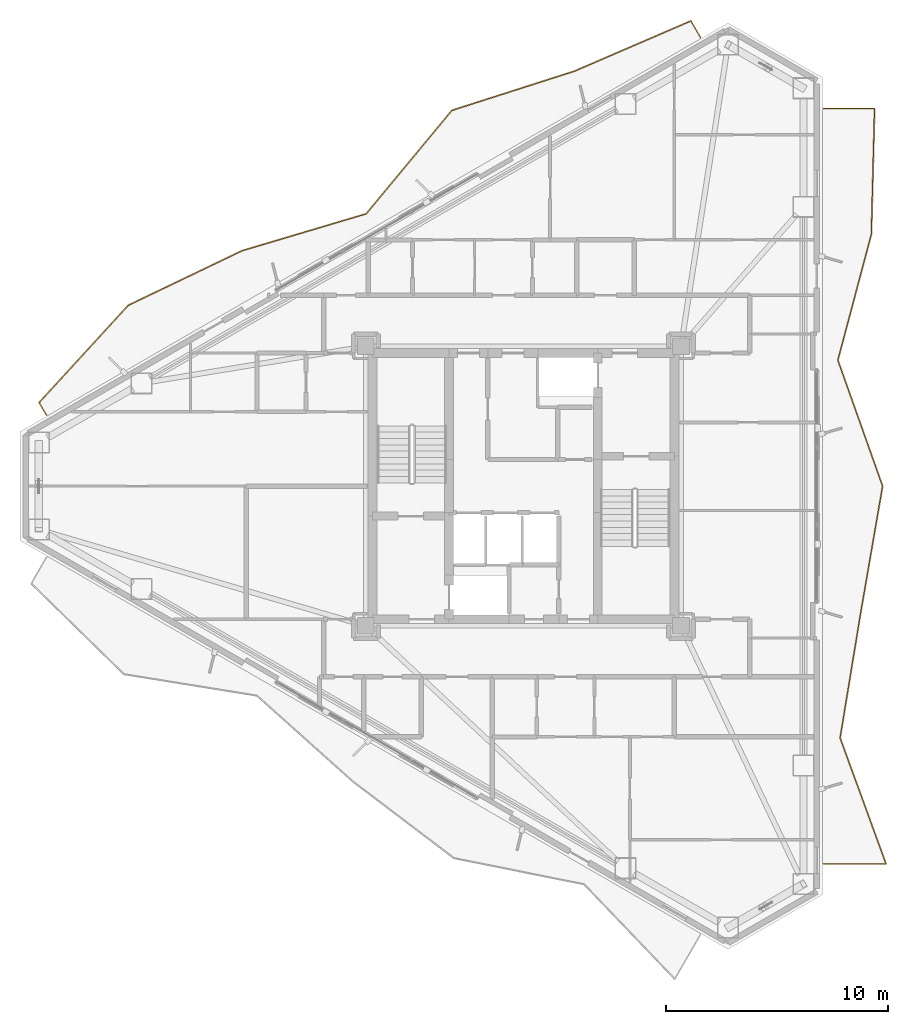
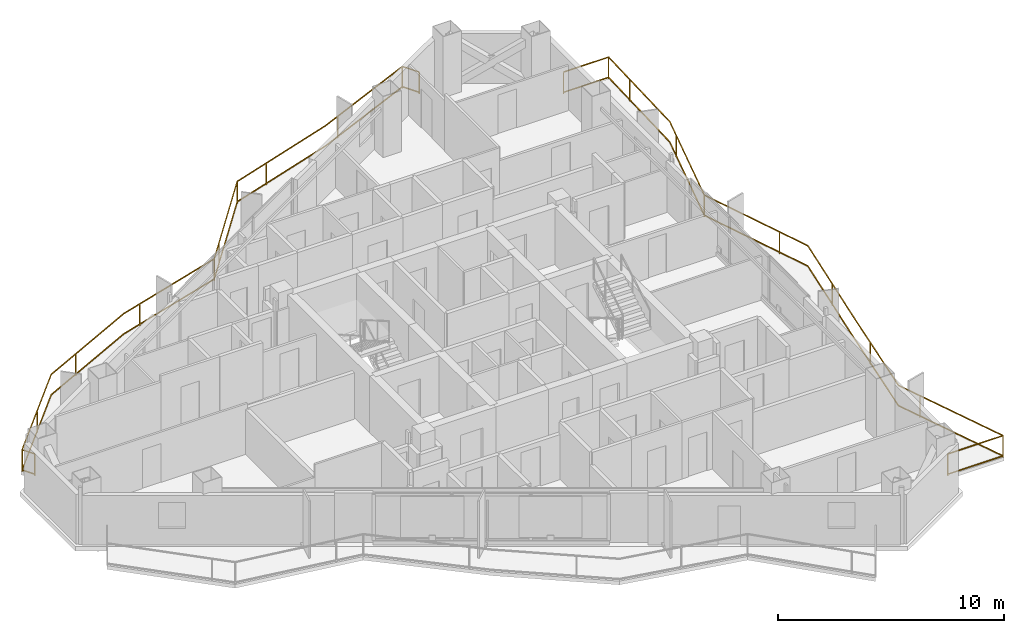
# One storey, part 18 of 18: 2 railings.
"""IFC4 building model written with IfcOpenShell, lengths in metres."""

from ifc_helpers import new_model, si_unit, direction, frame, origin, origin_2d, place, context, subcontext, project, spatial, rectangle, extrude, material, type_object, element, save


model = new_model("IFC4")

# Units and contexts
model_context = context("Model", 3, precision=1e-05, world=origin(), true_north=direction((0.0, 1.0)))
body_context = subcontext(model_context, "Body", "Model", "MODEL_VIEW")
ifc_project = project(units=[si_unit("LENGTHUNIT", "METRE"), si_unit("AREAUNIT", "SQUARE_METRE"), si_unit("VOLUMEUNIT", "CUBIC_METRE"), si_unit("PLANEANGLEUNIT", "RADIAN"), si_unit("MASSUNIT", "GRAM", prefix="KILO")], contexts=[model_context])

# Site, building, storey
site_placement = place(None, origin())
site = spatial("IfcSite", under=ifc_project, at=site_placement, CompositionType="ELEMENT")
building_placement = place(site_placement, origin())
building = spatial("IfcBuilding", under=site, at=building_placement, Name="Mersakhor Tower and Convention Hall", CompositionType="ELEMENT")
storey_placement = place(building_placement, frame((0.0, 0.0, 137.699951171875)))
storey = spatial("IfcBuildingStorey", under=building, at=storey_placement, Name="L38", CompositionType="ELEMENT", Elevation=137.699951171875)

# Railings
ifc_material = material(Name="Powder-coated galvanised steel and laminated glass balustrade", Category="steel")
railing_type = type_object("IfcRailingType", Name="RL-BAL-1200", PredefinedType="BALUSTRADE", material=ifc_material)
railing_1_placement = place(storey_placement, frame((36.983154296875, 46.969482421875, 0.0)))
element("IfcRailing", 1, at=railing_1_placement, inside=storey, type_object=railing_type, Name="L38 Sinusoidal Balcony Balustrade F1", PredefinedType="BALUSTRADE", context=body_context, shape_type="SweptSolid", body=[
    extrude(rectangle(XDim=0.048095703125, YDim=0.048095703125, at=origin_2d()), frame((0.0, 0.0, 1.17578125), z_axis=(-0.49998445949, 0.866034375916, 0.0), x_axis=(-0.866034375916, -0.49998445949, 0.0)), (0.0, 0.0, 1.0), 0.8603515625),
    extrude(rectangle(XDim=0.048095703125, YDim=0.048095703125, at=origin_2d()), frame((0.0, 0.0, 0.080078125), z_axis=(-0.49998445949, 0.866034375916, 0.0), x_axis=(-0.866034375916, -0.49998445949, 0.0)), (0.0, 0.0, 1.0), 0.8603515625),
    extrude(rectangle(XDim=0.048095703125, YDim=0.048095703125, at=origin_2d()), frame((-0.43017578125, 0.7451171875, 1.17578125), z_axis=(-0.91823193367, -0.396043073401, 0.0), x_axis=(0.396043073401, -0.91823193367, 0.0)), (0.0, 0.0, 1.0), 5.713134765625),
    extrude(rectangle(XDim=0.048095703125, YDim=0.048095703125, at=origin_2d()), frame((-0.43017578125, 0.7451171875, 0.080078125), z_axis=(-0.91823193367, -0.396043073401, 0.0), x_axis=(0.396043073401, -0.91823193367, 0.0)), (0.0, 0.0, 1.0), 5.713134765625),
    extrude(rectangle(XDim=0.048095703125, YDim=0.048095703125, at=origin_2d()), frame((-5.67626953125, -1.517578125, 1.17578125), z_axis=(-0.952363102074, -0.304966427344, 0.0), x_axis=(0.304966427344, -0.952363102074, 0.0)), (0.0, 0.0, 1.0), 5.806396484375),
    extrude(rectangle(XDim=0.048095703125, YDim=0.048095703125, at=origin_2d()), frame((-5.67626953125, -1.517578125, 0.080078125), z_axis=(-0.952363102074, -0.304966427344, 0.0), x_axis=(0.304966427344, -0.952363102074, 0.0)), (0.0, 0.0, 1.0), 5.806396484375),
    extrude(rectangle(XDim=0.048095703125, YDim=0.048095703125, at=origin_2d()), frame((-11.2060546875, -3.288330078125, 1.17578125), z_axis=(-0.638071166004, -0.769977393898, 0.0), x_axis=(0.769977393898, -0.638071166004, 0.0)), (0.0, 0.0, 1.0), 6.05224609375),
    extrude(rectangle(XDim=0.048095703125, YDim=0.048095703125, at=origin_2d()), frame((-11.2060546875, -3.288330078125, 0.080078125), z_axis=(-0.638071166004, -0.769977393898, 0.0), x_axis=(0.769977393898, -0.638071166004, 0.0)), (0.0, 0.0, 1.0), 6.05224609375),
    extrude(rectangle(XDim=0.048095703125, YDim=0.048095703125, at=origin_2d()), frame((-15.06787109375, -7.948486328125, 1.17578125), z_axis=(-0.958508856277, -0.285062751755, 0.0), x_axis=(0.285062751755, -0.958508856277, 0.0)), (0.0, 0.0, 1.0), 5.833984375),
    extrude(rectangle(XDim=0.048095703125, YDim=0.048095703125, at=origin_2d()), frame((-15.06787109375, -7.948486328125, 0.080078125), z_axis=(-0.958508856277, -0.285062751755, 0.0), x_axis=(0.285062751755, -0.958508856277, 0.0)), (0.0, 0.0, 1.0), 5.833984375),
    extrude(rectangle(XDim=0.048095703125, YDim=0.048095703125, at=origin_2d()), frame((-20.659912109375, -9.611572265625, 1.17578125), z_axis=(-0.901609395478, -0.432551150716, 0.0), x_axis=(0.432551150716, -0.901609395478, 0.0)), (0.0, 0.0, 1.0), 5.691162109375),
    extrude(rectangle(XDim=0.048095703125, YDim=0.048095703125, at=origin_2d()), frame((-20.659912109375, -9.611572265625, 0.080078125), z_axis=(-0.901609395478, -0.432551150716, 0.0), x_axis=(0.432551150716, -0.901609395478, 0.0)), (0.0, 0.0, 1.0), 5.691162109375),
    extrude(rectangle(XDim=0.048095703125, YDim=0.048095703125, at=origin_2d()), frame((-25.791015625, -12.0732421875, 1.17578125), z_axis=(-0.675555526763, -0.737309114456, 0.0), x_axis=(0.737309114456, -0.675555526763, 0.0)), (0.0, 0.0, 1.0), 5.949951171875),
    extrude(rectangle(XDim=0.048095703125, YDim=0.048095703125, at=origin_2d()), frame((-25.791015625, -12.0732421875, 0.080078125), z_axis=(-0.675555526763, -0.737309114456, 0.0), x_axis=(0.737309114456, -0.675555526763, 0.0)), (0.0, 0.0, 1.0), 5.949951171875),
    extrude(rectangle(XDim=0.048095703125, YDim=0.048095703125, at=origin_2d()), frame((-29.810546875, -16.460205078125, 1.17578125), z_axis=(0.50017749597, -0.865922902183, 0.0), x_axis=(0.865922902183, 0.50017749597, 0.0)), (0.0, 0.0, 1.0), 0.650146484375),
    extrude(rectangle(XDim=0.048095703125, YDim=0.048095703125, at=origin_2d()), frame((-29.810546875, -16.460205078125, 0.080078125), z_axis=(0.50017749597, -0.865922902183, 0.0), x_axis=(0.865922902183, 0.50017749597, 0.0)), (0.0, 0.0, 1.0), 0.650146484375),
    extrude(rectangle(XDim=0.0419921875, YDim=0.0419921875, at=origin_2d()), origin(), (0.0, 0.0, 1.0), 1.15185546875),
    extrude(rectangle(XDim=0.0419921875, YDim=0.0419921875, at=origin_2d()), frame((-0.43017578125, 0.7451171875, 0.0)), (0.0, 0.0, 1.0), 1.15185546875),
    extrude(rectangle(XDim=0.0419921875, YDim=0.0419921875, at=origin_2d()), frame((-4.837646484375, -1.156005859375, 0.0)), (0.0, 0.0, 1.0), 1.15185546875),
    extrude(rectangle(XDim=0.0419921875, YDim=0.0419921875, at=origin_2d()), frame((-9.3779296875, -2.702880859375, 0.0)), (0.0, 0.0, 1.0), 1.15185546875),
    extrude(rectangle(XDim=0.0419921875, YDim=0.0419921875, at=origin_2d()), frame((-11.2060546875, -3.288330078125, 0.0)), (0.0, 0.0, 1.0), 1.15185546875),
    extrude(rectangle(XDim=0.0419921875, YDim=0.0419921875, at=origin_2d()), frame((-14.268798828125, -6.984130859375, 0.0)), (0.0, 0.0, 1.0), 1.15185546875),
    extrude(rectangle(XDim=0.0419921875, YDim=0.0419921875, at=origin_2d()), frame((-15.06787109375, -7.948486328125, 0.0)), (0.0, 0.0, 1.0), 1.15185546875),
    extrude(rectangle(XDim=0.0419921875, YDim=0.0419921875, at=origin_2d()), frame((-19.668701171875, -9.31689453125, 0.0)), (0.0, 0.0, 1.0), 1.15185546875),
    extrude(rectangle(XDim=0.0419921875, YDim=0.0419921875, at=origin_2d()), frame((-24.05517578125, -11.240478515625, 0.0)), (0.0, 0.0, 1.0), 1.15185546875),
    extrude(rectangle(XDim=0.0419921875, YDim=0.0419921875, at=origin_2d()), frame((-27.733154296875, -14.19287109375, 0.0)), (0.0, 0.0, 1.0), 1.15185546875),
    extrude(rectangle(XDim=0.0419921875, YDim=0.0419921875, at=origin_2d()), frame((-29.810546875, -16.460205078125, 0.0)), (0.0, 0.0, 1.0), 1.15185546875),
    extrude(rectangle(XDim=0.0419921875, YDim=0.0419921875, at=origin_2d()), frame((-29.4853515625, -17.023193359375, 0.0)), (0.0, 0.0, 1.0), 1.15185546875),
])
railing_2_placement = place(storey_placement, frame((42.519287109375, 9.726806640625, 0.0)))
element("IfcRailing", 2, at=railing_2_placement, inside=storey, type_object=railing_type, Name="L38 Sinusoidal Balcony Balustrade F2", PredefinedType="BALUSTRADE", context=body_context, shape_type="SweptSolid", body=[
    extrude(rectangle(XDim=0.048095703125, YDim=0.048095703125, at=origin_2d()), frame((0.0, 0.0, 1.17578125), z_axis=(1.0, 0.0, 0.0), x_axis=(0.0, 1.0, 0.0)), (0.0, 0.0, 1.0), 2.81982421875),
    extrude(rectangle(XDim=0.048095703125, YDim=0.048095703125, at=origin_2d()), frame((0.0, 0.0, 0.080078125), z_axis=(1.0, 0.0, 0.0), x_axis=(0.0, 1.0, 0.0)), (0.0, 0.0, 1.0), 2.81982421875),
    extrude(rectangle(XDim=0.048095703125, YDim=0.048095703125, at=origin_2d()), frame((2.81982421875, 0.0, 1.17578125), z_axis=(-0.342505680051, 0.939515757789, 0.0), x_axis=(-0.939515757789, -0.342505680051, 0.0)), (0.0, 0.0, 1.0), 6.03955078125),
    extrude(rectangle(XDim=0.048095703125, YDim=0.048095703125, at=origin_2d()), frame((2.81982421875, 0.0, 0.080078125), z_axis=(-0.342505680051, 0.939515757789, 0.0), x_axis=(-0.939515757789, -0.342505680051, 0.0)), (0.0, 0.0, 1.0), 6.03955078125),
    extrude(rectangle(XDim=0.048095703125, YDim=0.048095703125, at=origin_2d()), frame((0.751220703125, 5.67431640625, 1.17578125), z_axis=(0.162381566776, 0.986728040937, 0.0), x_axis=(-0.986728040937, 0.162381566776, 0.0)), (0.0, 0.0, 1.0), 5.7509765625),
    extrude(rectangle(XDim=0.048095703125, YDim=0.048095703125, at=origin_2d()), frame((0.751220703125, 5.67431640625, 0.080078125), z_axis=(0.162381566776, 0.986728040937, 0.0), x_axis=(-0.986728040937, 0.162381566776, 0.0)), (0.0, 0.0, 1.0), 5.7509765625),
    extrude(rectangle(XDim=0.048095703125, YDim=0.048095703125, at=origin_2d()), frame((1.68505859375, 11.348876953125, 1.17578125), z_axis=(0.170432192377, 0.985369406772, 0.0), x_axis=(-0.985369406772, 0.170432192377, 0.0)), (0.0, 0.0, 1.0), 5.758544921875),
    extrude(rectangle(XDim=0.048095703125, YDim=0.048095703125, at=origin_2d()), frame((1.68505859375, 11.348876953125, 0.080078125), z_axis=(0.170432192377, 0.985369406772, 0.0), x_axis=(-0.985369406772, 0.170432192377, 0.0)), (0.0, 0.0, 1.0), 5.758544921875),
    extrude(rectangle(XDim=0.048095703125, YDim=0.048095703125, at=origin_2d()), frame((2.66650390625, 17.023193359375, 1.17578125), z_axis=(-0.334872096982, 0.942263592984, 0.0), x_axis=(-0.942263592984, -0.334872096982, 0.0)), (0.0, 0.0, 1.0), 6.02197265625),
    extrude(rectangle(XDim=0.048095703125, YDim=0.048095703125, at=origin_2d()), frame((2.66650390625, 17.023193359375, 0.080078125), z_axis=(-0.334872096982, 0.942263592984, 0.0), x_axis=(-0.942263592984, -0.334872096982, 0.0)), (0.0, 0.0, 1.0), 6.02197265625),
    extrude(rectangle(XDim=0.048095703125, YDim=0.048095703125, at=origin_2d()), frame((0.64990234375, 22.697509765625, 1.17578125), z_axis=(0.257075166408, 0.966391410773, 0.0), x_axis=(-0.966391410773, 0.257075166408, 0.0)), (0.0, 0.0, 1.0), 5.871826171875),
    extrude(rectangle(XDim=0.048095703125, YDim=0.048095703125, at=origin_2d()), frame((0.64990234375, 22.697509765625, 0.080078125), z_axis=(0.257075166408, 0.966391410773, 0.0), x_axis=(-0.966391410773, 0.257075166408, 0.0)), (0.0, 0.0, 1.0), 5.871826171875),
    extrude(rectangle(XDim=0.048095703125, YDim=0.048095703125, at=origin_2d()), frame((2.159423828125, 28.3720703125, 1.17578125), z_axis=(0.025634805057, 0.999671374387, 0.0), x_axis=(-0.999671374387, 0.025634805057, 0.0)), (0.0, 0.0, 1.0), 5.67626953125),
    extrude(rectangle(XDim=0.048095703125, YDim=0.048095703125, at=origin_2d()), frame((2.159423828125, 28.3720703125, 0.080078125), z_axis=(0.025634805057, 0.999671374387, 0.0), x_axis=(-0.999671374387, 0.025634805057, 0.0)), (0.0, 0.0, 1.0), 5.67626953125),
    extrude(rectangle(XDim=0.048095703125, YDim=0.048095703125, at=origin_2d()), frame((2.304931640625, 34.04638671875, 1.17578125), z_axis=(-1.0, 0.0, 0.0), x_axis=(0.0, -1.0, 0.0)), (0.0, 0.0, 1.0), 2.304931640625),
    extrude(rectangle(XDim=0.048095703125, YDim=0.048095703125, at=origin_2d()), frame((2.304931640625, 34.04638671875, 0.080078125), z_axis=(-1.0, 0.0, 0.0), x_axis=(0.0, -1.0, 0.0)), (0.0, 0.0, 1.0), 2.304931640625),
    extrude(rectangle(XDim=0.0419921875, YDim=0.0419921875, at=origin_2d()), origin(), (0.0, 0.0, 1.0), 1.15185546875),
    extrude(rectangle(XDim=0.0419921875, YDim=0.0419921875, at=origin_2d()), frame((2.81982421875, 0.0, 0.0)), (0.0, 0.0, 1.0), 1.15185546875),
    extrude(rectangle(XDim=0.0419921875, YDim=0.0419921875, at=origin_2d()), frame((1.17578125, 4.509765625, 0.0)), (0.0, 0.0, 1.0), 1.15185546875),
    extrude(rectangle(XDim=0.0419921875, YDim=0.0419921875, at=origin_2d()), frame((1.329345703125, 9.1875, 0.0)), (0.0, 0.0, 1.0), 1.15185546875),
    extrude(rectangle(XDim=0.0419921875, YDim=0.0419921875, at=origin_2d()), frame((2.1298828125, 13.920166015625, 0.0)), (0.0, 0.0, 1.0), 1.15185546875),
    extrude(rectangle(XDim=0.0419921875, YDim=0.0419921875, at=origin_2d()), frame((2.11376953125, 18.578857421875, 0.0)), (0.0, 0.0, 1.0), 1.15185546875),
    extrude(rectangle(XDim=0.0419921875, YDim=0.0419921875, at=origin_2d()), frame((0.64990234375, 22.697509765625, 0.0)), (0.0, 0.0, 1.0), 1.15185546875),
    extrude(rectangle(XDim=0.0419921875, YDim=0.0419921875, at=origin_2d()), frame((1.8837890625, 27.336181640625, 0.0)), (0.0, 0.0, 1.0), 1.15185546875),
    extrude(rectangle(XDim=0.0419921875, YDim=0.0419921875, at=origin_2d()), frame((2.2548828125, 32.098876953125, 0.0)), (0.0, 0.0, 1.0), 1.15185546875),
    extrude(rectangle(XDim=0.0419921875, YDim=0.0419921875, at=origin_2d()), frame((2.304931640625, 34.04638671875, 0.0)), (0.0, 0.0, 1.0), 1.15185546875),
    extrude(rectangle(XDim=0.0419921875, YDim=0.0419921875, at=origin_2d()), frame((0.0, 34.04638671875, 0.0)), (0.0, 0.0, 1.0), 1.15185546875),
])

save(model, "model.ifc")
